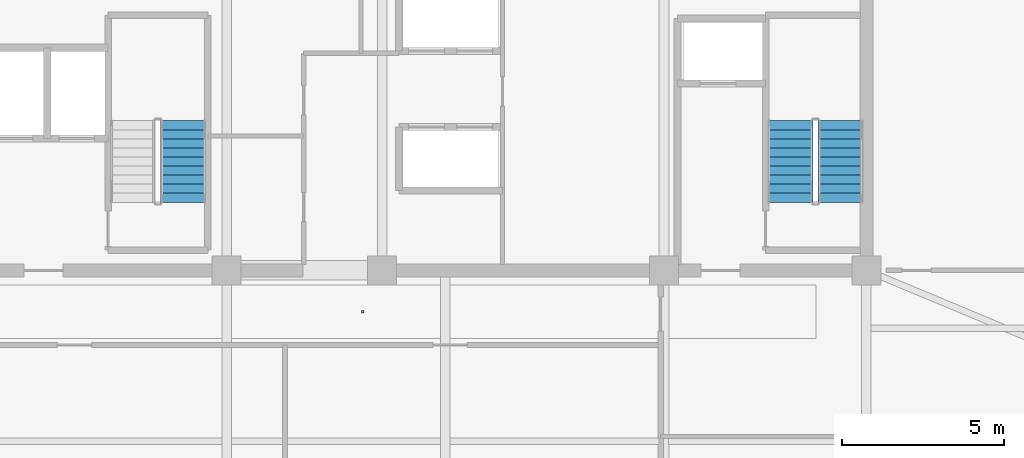
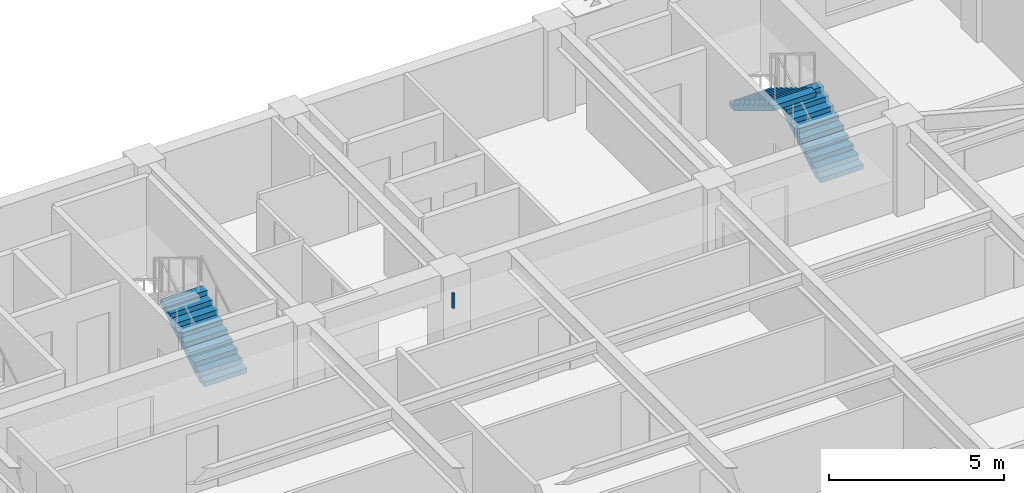
# One storey, part 9 of 13: 3 stair flights, 1 discrete accessory, 2 elements without a shape of their own.
"""IFC4 building model written with IfcOpenShell, lengths in metres."""

from ifc_helpers import new_model, si_unit, direction, frame, origin, origin_2d, place, context, subcontext, project, spatial, polyline, rectangle, outline, extrude, source, transform, mapped, material, type_object, element, aggregate, save


model = new_model("IFC4")

# Units and contexts
model_context = context("Model", 3, precision=1e-05, world=origin(), true_north=direction((0.0, 1.0)))
body_context = subcontext(model_context, "Body", "Model", "MODEL_VIEW")
ifc_project = project(units=[si_unit("LENGTHUNIT", "METRE"), si_unit("AREAUNIT", "SQUARE_METRE"), si_unit("VOLUMEUNIT", "CUBIC_METRE"), si_unit("PLANEANGLEUNIT", "RADIAN"), si_unit("MASSUNIT", "GRAM", prefix="KILO")], contexts=[model_context])

# Site, building, storey
site_placement = place(None, origin())
site = spatial("IfcSite", under=ifc_project, at=site_placement, CompositionType="ELEMENT")
building_placement = place(site_placement, origin())
building = spatial("IfcBuilding", under=site, at=building_placement, Name="Giltprow Tower", CompositionType="ELEMENT")
storey_placement = place(building_placement, frame((0.0, 0.0, 324.39990234375)))
storey = spatial("IfcBuildingStorey", under=building, at=storey_placement, Name="L84", CompositionType="ELEMENT", Elevation=324.39990234375)

# Stair, stair flight
ifc_material_1 = material(Name="Concrete C40", Category="concrete")
stair_type_1 = type_object("IfcStairType", Name="STR-ST-2", PredefinedType="HALF_TURN_STAIR", material=ifc_material_1)
stair_1_placement = place(storey_placement, origin())
stair_1 = element("IfcStair", 1, at=stair_1_placement, inside=storey, type_object=stair_type_1, Name="L84 Core Exit Stair ST-2", PredefinedType="HALF_TURN_STAIR")
stair_flight_type_1 = type_object("IfcStairFlightType", Name="SFL-ST-2", PredefinedType="STRAIGHT", material=ifc_material_1)
stair_flight_1_placement = place(storey_placement, frame((29.4599609375, 39.550048828125, 0.0), z_axis=(0.0, 0.0, 1.0), x_axis=(0.0, 1.0, 0.0)))
stair_flight_1 = element("IfcStairFlight", 2, at=stair_flight_1_placement, type_object=stair_flight_type_1, Name="ST-2 flight 1", NumberOfRisers=10, NumberOfTreads=9, PredefinedType="STRAIGHT", RiserHeight=0.17, TreadLength=0.28, context=body_context, shape_type="SweptSolid", body=[
    extrude(outline(polyline([(0.0, 0.0), (0.0, 0.169921875), (0.280029296875, 0.169921875), (0.280029296875, 0.340087890625), (0.56005859375, 0.340087890625), (0.56005859375, 0.510009765625), (0.840087890625, 0.510009765625), (0.840087890625, 0.679931640625), (1.1201171875, 0.679931640625), (1.1201171875, 0.85009765625), (1.39990234375, 0.85009765625), (1.39990234375, 1.02001953125), (1.679931640625, 1.02001953125), (1.679931640625, 1.18994140625), (1.9599609375, 1.18994140625), (1.9599609375, 1.360107421875), (2.239990234375, 1.360107421875), (2.239990234375, 1.530029296875), (2.52001953125, 1.530029296875), (2.52001953125, 1.699951171875), (2.52001953125, 1.354736328125), (0.288818359375, 0.0), (0.0, 0.0)])), frame((0.0, 0.699951171875, 0.0), z_axis=(0.0, -1.0, 0.0), x_axis=(1.0, 0.0, 0.0)), (0.0, 0.0, 1.0), 1.39990234375),
])
aggregate(stair_1, [stair_flight_1])

# Stair, stair flights
stair_type_2 = type_object("IfcStairType", Name="STR-ST-3", PredefinedType="HALF_TURN_STAIR", material=ifc_material_1)
stair_2_placement = place(storey_placement, origin())
stair_2 = element("IfcStair", 3, at=stair_2_placement, inside=storey, type_object=stair_type_2, Name="L84 Core Exit Stair ST-3", PredefinedType="HALF_TURN_STAIR")
stair_flight_type_2 = type_object("IfcStairFlightType", Name="SFL-ST-3", PredefinedType="STRAIGHT", material=ifc_material_1)
stair_flight_2_placement = place(storey_placement, frame((49.760009765625, 39.550048828125, 0.0), z_axis=(0.0, 0.0, 1.0), x_axis=(0.0, 1.0, 0.0)))
stair_flight_2 = element("IfcStairFlight", 4, at=stair_flight_2_placement, type_object=stair_flight_type_2, Name="ST-3 flight 1", NumberOfRisers=10, NumberOfTreads=9, PredefinedType="STRAIGHT", RiserHeight=0.17, TreadLength=0.28, context=body_context, shape_type="SweptSolid", body=[
    extrude(outline(polyline([(0.0, 0.0), (0.0, 0.169921875), (0.280029296875, 0.169921875), (0.280029296875, 0.340087890625), (0.56005859375, 0.340087890625), (0.56005859375, 0.510009765625), (0.840087890625, 0.510009765625), (0.840087890625, 0.679931640625), (1.1201171875, 0.679931640625), (1.1201171875, 0.85009765625), (1.39990234375, 0.85009765625), (1.39990234375, 1.02001953125), (1.679931640625, 1.02001953125), (1.679931640625, 1.18994140625), (1.9599609375, 1.18994140625), (1.9599609375, 1.360107421875), (2.239990234375, 1.360107421875), (2.239990234375, 1.530029296875), (2.52001953125, 1.530029296875), (2.52001953125, 1.699951171875), (2.52001953125, 1.354736328125), (0.288818359375, 0.0), (0.0, 0.0)])), frame((0.0, 0.699951171875, 0.0), z_axis=(0.0, -1.0, 0.0), x_axis=(1.0, 0.0, 0.0)), (0.0, 0.0, 1.0), 1.39990234375),
])
stair_flight_3_placement = place(storey_placement, frame((48.199951171875, 42.070068359375, 1.7001953125), z_axis=(0.0, 0.0, 1.0), x_axis=(0.0, -1.0, 0.0)))
stair_flight_3 = element("IfcStairFlight", 5, at=stair_flight_3_placement, type_object=stair_flight_type_2, Name="ST-3 flight 2", NumberOfRisers=10, NumberOfTreads=9, PredefinedType="STRAIGHT", RiserHeight=0.17, TreadLength=0.28, context=body_context, shape_type="SweptSolid", body=[
    extrude(outline(polyline([(0.0, 0.0), (0.0, 0.169921875), (0.280029296875, 0.169921875), (0.280029296875, 0.340087890625), (0.56005859375, 0.340087890625), (0.56005859375, 0.510009765625), (0.840087890625, 0.510009765625), (0.840087890625, 0.679931640625), (1.1201171875, 0.679931640625), (1.1201171875, 0.85009765625), (1.39990234375, 0.85009765625), (1.39990234375, 1.02001953125), (1.679931640625, 1.02001953125), (1.679931640625, 1.18994140625), (1.9599609375, 1.18994140625), (1.9599609375, 1.360107421875), (2.239990234375, 1.360107421875), (2.239990234375, 1.530029296875), (2.52001953125, 1.530029296875), (2.52001953125, 1.699951171875), (2.52001953125, 1.354736328125), (0.288818359375, 0.0), (0.0, 0.0)])), frame((0.0, 0.699951171875, 0.0), z_axis=(0.0, -1.0, 0.0), x_axis=(1.0, 0.0, 0.0)), (0.0, 0.0, 1.0), 1.39990234375),
])
aggregate(stair_2, [stair_flight_2, stair_flight_3])

# Discrete accessory
ifc_material_2 = material(Name="Structural steel Q355B", Category="steel")
discrete_accessory_type = type_object("IfcDiscreteAccessoryType", Name="ACC-CLG-HANGER", PredefinedType="BRACKET", material=ifc_material_2)
shared_shape = source(origin(), body_context, "Body", "SweptSolid", [
    extrude(rectangle(XDim=0.080078125, YDim=0.080078125, at=origin_2d()), origin(), (0.0, 0.0, 1.0), 0.52001953125),
])
discrete_accessory_placement = place(storey_placement, frame((35.0, 36.175048828125, 2.6201171875), z_axis=(0.0, 0.0, 1.0), x_axis=(1.0, 0.0, 0.0)))
element("IfcDiscreteAccessory", 6, at=discrete_accessory_placement, inside=storey, type_object=discrete_accessory_type, Name="L84 Residence Gallery Ceiling Suspension Hanger", PredefinedType="BRACKET", context=body_context, shape_type="MappedRepresentation", body=[
    mapped(shared_shape, transform((0.0, 0.0, 0.0), x_axis=(1.0, 0.0, 0.0), y_axis=(0.0, 1.0, 0.0), z_axis=(0.0, 0.0, 1.0), scale=1.0)),
])

save(model, "model.ifc")
